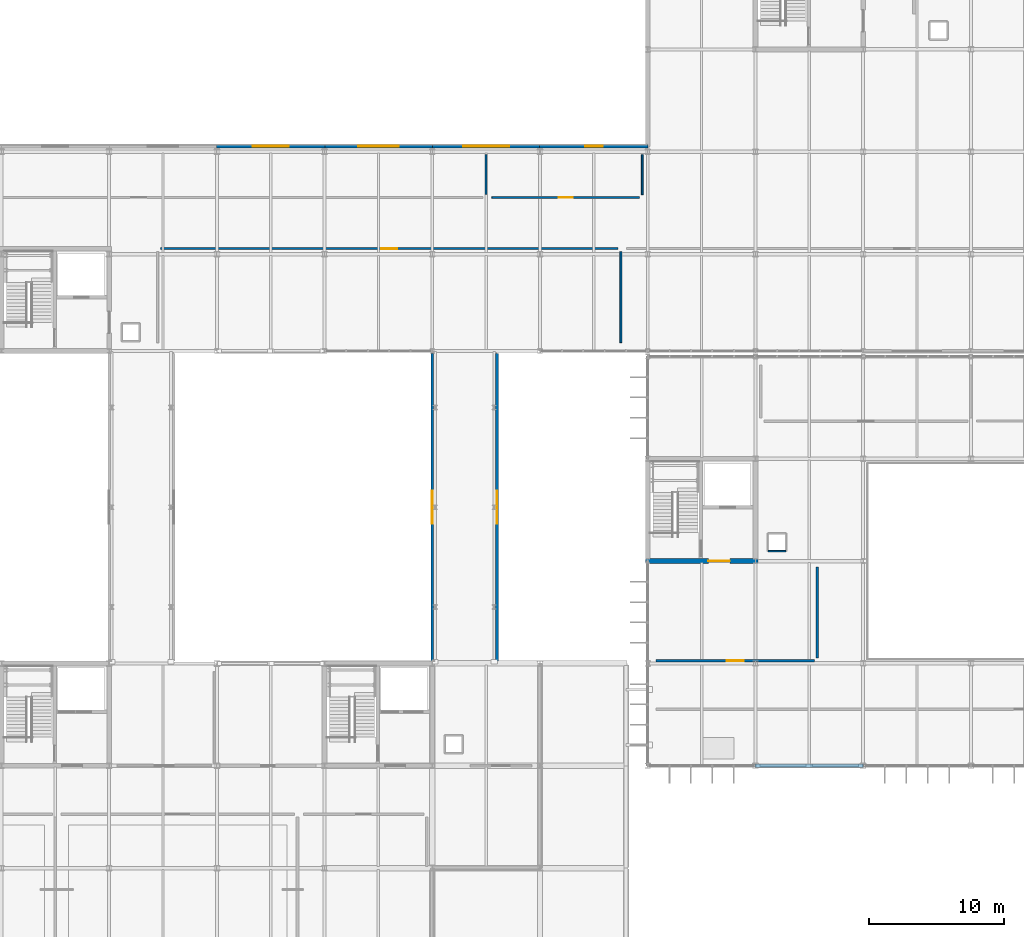
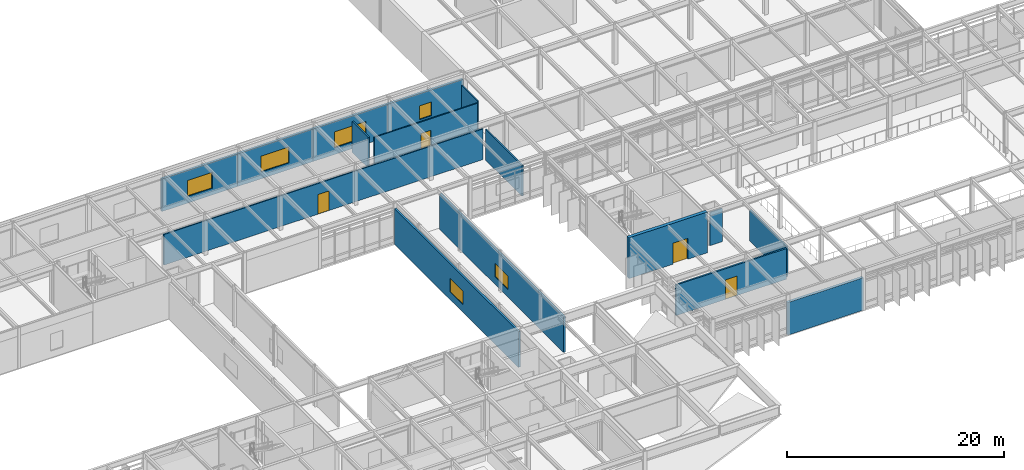
# One storey, part 81 of 104: 16 walls, 6 windows, 4 doors, 10 openings.
"""IFC4 building model written with IfcOpenShell, lengths in metres."""

from ifc_helpers import new_model, si_unit, direction, frame, frame_2d, origin, place, context, subcontext, project, spatial, rectangle, extrude, material, layer, layer_set, type_object, element, fill, save


model = new_model("IFC4")

# Units and contexts
model_context = context("Model", 3, precision=1e-05, world=origin(), true_north=direction((0.0, 1.0)))
body_context = subcontext(model_context, "Body", "Model", "MODEL_VIEW")
ifc_project = project(units=[si_unit("LENGTHUNIT", "METRE"), si_unit("AREAUNIT", "SQUARE_METRE"), si_unit("VOLUMEUNIT", "CUBIC_METRE"), si_unit("PLANEANGLEUNIT", "RADIAN"), si_unit("MASSUNIT", "GRAM", prefix="KILO")], contexts=[model_context])

# Site, building, storey
site_placement = place(None, origin())
site = spatial("IfcSite", under=ifc_project, at=site_placement, CompositionType="ELEMENT")
building_placement = place(site_placement, origin())
building = spatial("IfcBuilding", under=site, at=building_placement, Name="Zulena Civic Courthouse", CompositionType="ELEMENT")
storey_placement = place(building_placement, frame((0.0, 0.0, 10.800048828125)))
storey = spatial("IfcBuildingStorey", under=building, at=storey_placement, Name="L02", CompositionType="ELEMENT", Elevation=10.800048828125)

# Wall, opening, window
ifc_material_1 = material(Name="Travertine-cream architectural precast concrete C40/50", Category="masonry")
ifc_layer_1 = layer(ifc_material_1, 0.205078125)
ifc_layer_set_1 = layer_set([ifc_layer_1], Name="Travertine-cream architectural precast concrete C40/50")
wall_type_1 = type_object("IfcWallType", Name="BridgeWall_GlazedScreen_205", PredefinedType="STANDARD", material=ifc_layer_set_1)
wall_1_placement = place(storey_placement, frame((52.0, 22.97998046875, 0.0), z_axis=(0.0, 0.0, 1.0), x_axis=(0.0, 1.0, 0.0)))
wall_1 = element("IfcWall", 1, at=wall_1_placement, inside=storey, type_object=wall_type_1, Name="ewall:bridge:BR-52C:L02:W", PredefinedType="STANDARD", context=body_context, shape_type="SweptSolid", body=[
    extrude(rectangle(XDim=22.840087890625, YDim=0.205078125, at=frame_2d((11.419921875, 0.0))), origin(), (0.0, 0.0, 1.0), 4.02001953125),
])
opening_1_placement = place(wall_1_placement, frame((10.195068359375, 0.0, 0.85009765625)))
opening_1 = element("IfcOpeningElement", 2, at=opening_1_placement, cuts=wall_1, Name="Opening WN27", PredefinedType="OPENING", context=body_context, shape_type="SweptSolid", body=[
    extrude(rectangle(XDim=2.449951171875, YDim=1.550048828125, at=frame_2d((1.22509765625, 0.77490234375))), frame((0.0, 0.112548828125, 0.0), z_axis=(0.0, -1.0, 0.0), x_axis=(1.0, 0.0, 0.0)), (0.0, 0.0, 1.0), 0.22509765625),
])
ifc_material_2 = material(Name="Double-silver low-E laminated solar-control glass", Category="glass")
window_type_1 = type_object("IfcWindowType", Name="Win_2450x1550", PartitioningType="DOUBLE_PANEL_VERTICAL", PredefinedType="WINDOW", material=ifc_material_2)
window_1_placement = place(opening_1_placement, origin())
window_1 = element("IfcWindow", 3, at=window_1_placement, inside=storey, type_object=window_type_1, Name="win:bridge:BR-52C:L02:W", OverallHeight=1.550048828125, OverallWidth=2.449951171875, PartitioningType="SINGLE_PANEL", PredefinedType="WINDOW", context=body_context, shape_type="SweptSolid", body=[
    extrude(rectangle(XDim=2.449951171875, YDim=1.550048828125, at=frame_2d((1.22509765625, 0.77490234375))), frame((0.0, 0.030029296875, 0.0), z_axis=(0.0, -1.0, 0.0), x_axis=(1.0, 0.0, 0.0)), (0.0, 0.0, 1.0), 0.06005859375),
])
fill(opening_1, window_1)

wall_2_placement = place(storey_placement, frame((56.800048828125, 45.820068359375, 0.0), z_axis=(0.0, 0.0, 1.0), x_axis=(0.0, -1.0, 0.0)))
wall_2 = element("IfcWall", 4, at=wall_2_placement, inside=storey, type_object=wall_type_1, Name="ewall:bridge:BR-52C:L02:E", PredefinedType="STANDARD", context=body_context, shape_type="SweptSolid", body=[
    extrude(rectangle(XDim=22.840087890625, YDim=0.205078125, at=frame_2d((11.419921875, 0.0))), origin(), (0.0, 0.0, 1.0), 4.02001953125),
])
opening_2_placement = place(wall_2_placement, frame((10.195068359375, 0.0, 0.85009765625)))
opening_2 = element("IfcOpeningElement", 5, at=opening_2_placement, cuts=wall_2, Name="Opening WN27", PredefinedType="OPENING", context=body_context, shape_type="SweptSolid", body=[
    extrude(rectangle(XDim=2.449951171875, YDim=1.550048828125, at=frame_2d((1.22509765625, 0.77490234375))), frame((0.0, 0.112548828125, 0.0), z_axis=(0.0, -1.0, 0.0), x_axis=(1.0, 0.0, 0.0)), (0.0, 0.0, 1.0), 0.22509765625),
])
window_2_placement = place(opening_2_placement, origin())
window_2 = element("IfcWindow", 6, at=window_2_placement, inside=storey, type_object=window_type_1, Name="win:bridge:BR-52C:L02:E", OverallHeight=1.550048828125, OverallWidth=2.449951171875, PartitioningType="SINGLE_PANEL", PredefinedType="WINDOW", context=body_context, shape_type="SweptSolid", body=[
    extrude(rectangle(XDim=2.449951171875, YDim=1.550048828125, at=frame_2d((1.22509765625, 0.77490234375))), frame((0.0, 0.030029296875, 0.0), z_axis=(0.0, -1.0, 0.0), x_axis=(1.0, 0.0, 0.0)), (0.0, 0.0, 1.0), 0.06005859375),
])
fill(opening_2, window_2)

# Wall, opening, door
ifc_material_3 = material(Name="Concrete C40/50", Category="concrete")
ifc_layer_2 = layer(ifc_material_3, 0.35009765625)
ifc_layer_set_2 = layer_set([ifc_layer_2], Name="Concrete C40/50")
wall_type_2 = type_object("IfcWallType", Name="CoreShearWall_RC350", PredefinedType="SHEAR", material=ifc_layer_set_2)
wall_3_placement = place(storey_placement, frame((67.824951171875, 30.39990234375, 0.0), z_axis=(0.0, 0.0, 1.0), x_axis=(1.0, 0.0, 0.0)))
wall_3 = element("IfcWall", 7, at=wall_3_placement, inside=storey, type_object=wall_type_2, Name="cwall:K4A:L02:S", PredefinedType="SHEAR", context=body_context, shape_type="SweptSolid", body=[
    extrude(rectangle(XDim=8.35009765625, YDim=0.35009765625, at=frame_2d((4.175048828125, 0.0))), origin(), (0.0, 0.0, 1.0), 4.58984375),
])
opening_3_placement = place(wall_3_placement, frame((4.68505859375, 0.0, 0.0)))
opening_3 = element("IfcOpeningElement", 8, at=opening_3_placement, cuts=wall_3, Name="Opening ID04", PredefinedType="OPENING", context=body_context, shape_type="SweptSolid", body=[
    extrude(rectangle(XDim=1.60009765625, YDim=2.35009765625, at=frame_2d((0.800048828125, 1.175048828125))), frame((0.0, 0.18505859375, 0.0), z_axis=(0.0, -1.0, 0.0), x_axis=(1.0, 0.0, 0.0)), (0.0, 0.0, 1.0), 0.3701171875),
])
ifc_material_4 = material(Name="Solid-core acoustic hardwood timber", Category="wood")
door_type_1 = type_object("IfcDoorType", Name="IntDoor_CourtPublic_1600x2350", OperationType="DOUBLE_DOOR_SINGLE_SWING", PredefinedType="DOOR", material=ifc_material_4)
door_1_placement = place(opening_3_placement, origin())
door_1 = element("IfcDoor", 9, at=door_1_placement, inside=storey, type_object=door_type_1, Name="door:corelob:K4A:L02", OperationType="DOUBLE_DOOR_SINGLE_SWING", OverallHeight=2.35009765625, OverallWidth=1.60009765625, PredefinedType="DOOR", context=body_context, shape_type="SweptSolid", body=[
    extrude(rectangle(XDim=1.60009765625, YDim=2.35009765625, at=frame_2d((0.800048828125, 1.175048828125))), frame((0.0, 0.02490234375, 0.0), z_axis=(0.0, -1.0, 0.0), x_axis=(1.0, 0.0, 0.0)), (0.0, 0.0, 1.0), 0.050048828125),
])
fill(opening_3, door_1)

# Wall, opening, window
ifc_material_5 = material(Name="Buff architectural precast concrete C40/50", Category="concrete")
ifc_layer_3 = layer(ifc_material_5, 0.264892578125)
ifc_layer_set_3 = layer_set([ifc_layer_3], Name="Buff architectural precast concrete C40/50")
wall_type_3 = type_object("IfcWallType", Name="ExtWall_BuffPrecast_265", PredefinedType="STANDARD", material=ifc_layer_set_3)
wall_4_placement = place(storey_placement, frame((35.97998046875, 61.199951171875, 0.0), z_axis=(0.0, 0.0, 1.0), x_axis=(1.0, 0.0, 0.0)))
wall_4 = element("IfcWall", 10, at=wall_4_placement, inside=storey, type_object=wall_type_3, Name="ewall:V5:L02:1:4", PredefinedType="STANDARD", context=body_context, shape_type="SweptSolid", body=[
    extrude(rectangle(XDim=8.0400390625, YDim=0.264892578125, at=frame_2d((4.02001953125, 0.0))), origin(), (0.0, 0.0, 1.0), 3.659912109375),
])
opening_4_placement = place(wall_4_placement, frame((2.695068359375, 0.0, 0.75)))
opening_4 = element("IfcOpeningElement", 11, at=opening_4_placement, cuts=wall_4, Name="Opening WN21", PredefinedType="OPENING", context=body_context, shape_type="SweptSolid", body=[
    extrude(rectangle(XDim=2.64990234375, YDim=1.800048828125, at=frame_2d((1.324951171875, 0.89990234375))), frame((0.0, 0.142333984375, 0.0), z_axis=(0.0, -1.0, 0.0), x_axis=(1.0, 0.0, 0.0)), (0.0, 0.0, 1.0), 0.284912109375),
])
window_type_2 = type_object("IfcWindowType", Name="Win_2650x1800", PartitioningType="DOUBLE_PANEL_VERTICAL", PredefinedType="WINDOW", material=ifc_material_2)
window_3_placement = place(opening_4_placement, origin())
window_3 = element("IfcWindow", 12, at=window_3_placement, inside=storey, type_object=window_type_2, Name="win:V5:L02:1:4", OverallHeight=1.800048828125, OverallWidth=2.64990234375, PartitioningType="SINGLE_PANEL", PredefinedType="WINDOW", context=body_context, shape_type="SweptSolid", body=[
    extrude(rectangle(XDim=2.64990234375, YDim=1.800048828125, at=frame_2d((1.324951171875, 0.89990234375))), frame((0.0, 0.030029296875, 0.0), z_axis=(0.0, -1.0, 0.0), x_axis=(1.0, 0.0, 0.0)), (0.0, 0.0, 1.0), 0.06005859375),
])
fill(opening_4, window_3)

wall_5_placement = place(storey_placement, frame((43.97998046875, 61.199951171875, 0.0), z_axis=(0.0, 0.0, 1.0), x_axis=(1.0, 0.0, 0.0)))
wall_5 = element("IfcWall", 13, at=wall_5_placement, inside=storey, type_object=wall_type_3, Name="ewall:V5:L02:1:5", PredefinedType="STANDARD", context=body_context, shape_type="SweptSolid", body=[
    extrude(rectangle(XDim=8.0400390625, YDim=0.264892578125, at=frame_2d((4.02001953125, 0.0))), origin(), (0.0, 0.0, 1.0), 3.659912109375),
])
opening_5_placement = place(wall_5_placement, frame((2.52001953125, 0.0, 0.75)))
opening_5 = element("IfcOpeningElement", 14, at=opening_5_placement, cuts=wall_5, Name="Opening WN22", PredefinedType="OPENING", context=body_context, shape_type="SweptSolid", body=[
    extrude(rectangle(XDim=3.0, YDim=1.800048828125, at=frame_2d((1.5, 0.89990234375))), frame((0.0, 0.142333984375, 0.0), z_axis=(0.0, -1.0, 0.0), x_axis=(1.0, 0.0, 0.0)), (0.0, 0.0, 1.0), 0.284912109375),
])
window_type_3 = type_object("IfcWindowType", Name="Win_3000x1800", PartitioningType="DOUBLE_PANEL_VERTICAL", PredefinedType="WINDOW", material=ifc_material_2)
window_4_placement = place(opening_5_placement, origin())
window_4 = element("IfcWindow", 15, at=window_4_placement, inside=storey, type_object=window_type_3, Name="win:V5:L02:1:5", OverallHeight=1.800048828125, OverallWidth=3.0, PartitioningType="SINGLE_PANEL", PredefinedType="WINDOW", context=body_context, shape_type="SweptSolid", body=[
    extrude(rectangle(XDim=3.0, YDim=1.800048828125, at=frame_2d((1.5, 0.89990234375))), frame((0.0, 0.030029296875, 0.0), z_axis=(0.0, -1.0, 0.0), x_axis=(1.0, 0.0, 0.0)), (0.0, 0.0, 1.0), 0.06005859375),
])
fill(opening_5, window_4)

wall_6_placement = place(storey_placement, frame((51.97998046875, 61.199951171875, 0.0), z_axis=(0.0, 0.0, 1.0), x_axis=(1.0, 0.0, 0.0)))
wall_6 = element("IfcWall", 16, at=wall_6_placement, inside=storey, type_object=wall_type_3, Name="ewall:V5:L02:1:6", PredefinedType="STANDARD", context=body_context, shape_type="SweptSolid", body=[
    extrude(rectangle(XDim=8.0400390625, YDim=0.264892578125, at=frame_2d((4.02001953125, 0.0))), origin(), (0.0, 0.0, 1.0), 3.659912109375),
])
opening_6_placement = place(wall_6_placement, frame((2.320068359375, 0.0, 0.75)))
opening_6 = element("IfcOpeningElement", 17, at=opening_6_placement, cuts=wall_6, Name="Opening WN23", PredefinedType="OPENING", context=body_context, shape_type="SweptSolid", body=[
    extrude(rectangle(XDim=3.39990234375, YDim=1.800048828125, at=frame_2d((1.699951171875, 0.89990234375))), frame((0.0, 0.142333984375, 0.0), z_axis=(0.0, -1.0, 0.0), x_axis=(1.0, 0.0, 0.0)), (0.0, 0.0, 1.0), 0.284912109375),
])
window_type_4 = type_object("IfcWindowType", Name="Win_3400x1800", PartitioningType="DOUBLE_PANEL_VERTICAL", PredefinedType="WINDOW", material=ifc_material_2)
window_5_placement = place(opening_6_placement, origin())
window_5 = element("IfcWindow", 18, at=window_5_placement, inside=storey, type_object=window_type_4, Name="win:V5:L02:1:6", OverallHeight=1.800048828125, OverallWidth=3.39990234375, PartitioningType="SINGLE_PANEL", PredefinedType="WINDOW", context=body_context, shape_type="SweptSolid", body=[
    extrude(rectangle(XDim=3.39990234375, YDim=1.800048828125, at=frame_2d((1.699951171875, 0.89990234375))), frame((0.0, 0.030029296875, 0.0), z_axis=(0.0, -1.0, 0.0), x_axis=(1.0, 0.0, 0.0)), (0.0, 0.0, 1.0), 0.06005859375),
])
fill(opening_6, window_5)

wall_7_placement = place(storey_placement, frame((59.97998046875, 61.199951171875, 0.0), z_axis=(0.0, 0.0, 1.0), x_axis=(1.0, 0.0, 0.0)))
wall_7 = element("IfcWall", 19, at=wall_7_placement, inside=storey, type_object=wall_type_3, Name="ewall:V5:L02:1:7", PredefinedType="STANDARD", context=body_context, shape_type="SweptSolid", body=[
    extrude(rectangle(XDim=8.0400390625, YDim=0.264892578125, at=frame_2d((4.02001953125, 0.0))), origin(), (0.0, 0.0, 1.0), 3.659912109375),
])
opening_7_placement = place(wall_7_placement, frame((3.3701171875, 0.0, 0.75)))
opening_7 = element("IfcOpeningElement", 20, at=opening_7_placement, cuts=wall_7, Name="Opening WN24", PredefinedType="OPENING", context=body_context, shape_type="SweptSolid", body=[
    extrude(rectangle(XDim=1.300048828125, YDim=1.550048828125, at=frame_2d((0.64990234375, 0.77490234375))), frame((0.0, 0.142333984375, 0.0), z_axis=(0.0, -1.0, 0.0), x_axis=(1.0, 0.0, 0.0)), (0.0, 0.0, 1.0), 0.284912109375),
])
window_type_5 = type_object("IfcWindowType", Name="Win_1300x1550", PartitioningType="SINGLE_PANEL", PredefinedType="WINDOW", material=ifc_material_2)
window_6_placement = place(opening_7_placement, origin())
window_6 = element("IfcWindow", 21, at=window_6_placement, inside=storey, type_object=window_type_5, Name="win:V5:L02:1:7", OverallHeight=1.550048828125, OverallWidth=1.300048828125, PartitioningType="SINGLE_PANEL", PredefinedType="WINDOW", context=body_context, shape_type="SweptSolid", body=[
    extrude(rectangle(XDim=1.300048828125, YDim=1.550048828125, at=frame_2d((0.64990234375, 0.77490234375))), frame((0.0, 0.030029296875, 0.0), z_axis=(0.0, -1.0, 0.0), x_axis=(1.0, 0.0, 0.0)), (0.0, 0.0, 1.0), 0.06005859375),
])
fill(opening_7, window_6)

# Wall
ifc_layer_4 = layer(ifc_material_1, 0.280029296875)
ifc_layer_set_4 = layer_set([ifc_layer_4], Name="Travertine-cream architectural precast concrete C40/50")
wall_type_4 = type_object("IfcWallType", Name="ExtWall_TravPrecast_280", PredefinedType="STANDARD", material=ifc_layer_set_4)
wall_8_placement = place(storey_placement, frame((84.02001953125, 15.199951171875, 0.0), z_axis=(0.0, 0.0, 1.0), x_axis=(-1.0, 0.0, 0.0)))
element("IfcWall", 22, at=wall_8_placement, inside=storey, type_object=wall_type_4, Name="ewall:V4:L02:3:5", PredefinedType="STANDARD", context=body_context, shape_type="SweptSolid", body=[
    extrude(rectangle(XDim=8.0400390625, YDim=0.280029296875, at=frame_2d((4.02001953125, 0.0))), origin(), (0.0, 0.0, 1.0), 3.659912109375),
])

# Wall, opening, door
ifc_material_6 = material(Name="Acoustic fire-rated gypsum board assembly", Category="masonry")
ifc_layer_5 = layer(ifc_material_6, 0.14599609375)
ifc_layer_set_5 = layer_set([ifc_layer_5], Name="Acoustic fire-rated gypsum board assembly")
wall_type_5 = type_object("IfcWallType", Name="PartWall_Chambers_146", PredefinedType="PARTITIONING", material=ifc_layer_set_5)
wall_9_placement = place(storey_placement, frame((31.820068359375, 53.60009765625, 0.0), z_axis=(0.0, 0.0, 1.0), x_axis=(1.0, 0.0, 0.0)))
wall_9 = element("IfcWall", 23, at=wall_9_placement, inside=storey, type_object=wall_type_5, Name="pwall:L02:389:0", PredefinedType="PARTITIONING", context=body_context, shape_type="SweptSolid", body=[
    extrude(rectangle(XDim=33.9599609375, YDim=0.14599609375, at=frame_2d((16.97998046875, 0.0))), origin(), (0.0, 0.0, 1.0), 3.449951171875),
])
opening_8_placement = place(wall_9_placement, frame((16.3798828125, 0.0, 0.0)))
opening_8 = element("IfcOpeningElement", 24, at=opening_8_placement, cuts=wall_9, Name="Opening ID07", PredefinedType="OPENING", context=body_context, shape_type="SweptSolid", body=[
    extrude(rectangle(XDim=1.199951171875, YDim=2.199951171875, at=frame_2d((0.60009765625, 1.10009765625))), frame((0.0, 0.0830078125, 0.0), z_axis=(0.0, -1.0, 0.0), x_axis=(1.0, 0.0, 0.0)), (0.0, 0.0, 1.0), 0.166015625),
])
ifc_material_7 = material(Name="Fire-rated galvanised steel ASTM A653 Grade 50", Category="steel")
door_type_2 = type_object("IfcDoorType", Name="IntDoor_Stair_1200x2200", OperationType="NOTDEFINED", PredefinedType="DOOR", material=ifc_material_7)
door_2_placement = place(opening_8_placement, origin())
door_2 = element("IfcDoor", 25, at=door_2_placement, inside=storey, type_object=door_type_2, Name="door:rm:L02:389", OperationType="SINGLE_SWING_LEFT", OverallHeight=2.199951171875, OverallWidth=1.199951171875, PredefinedType="DOOR", context=body_context, shape_type="SweptSolid", body=[
    extrude(rectangle(XDim=1.199951171875, YDim=2.199951171875, at=frame_2d((0.60009765625, 1.10009765625))), frame((0.0, 0.02490234375, 0.0), z_axis=(0.0, -1.0, 0.0), x_axis=(1.0, 0.0, 0.0)), (0.0, 0.0, 1.0), 0.050048828125),
])
fill(opening_8, door_2)

# Wall
wall_10_placement = place(storey_placement, frame((66.0, 46.6201171875, 0.0), z_axis=(0.0, 0.0, 1.0), x_axis=(0.0, 1.0, 0.0)))
element("IfcWall", 26, at=wall_10_placement, inside=storey, type_object=wall_type_5, Name="pwall:L02:389:2", PredefinedType="PARTITIONING", context=body_context, shape_type="SweptSolid", body=[
    extrude(rectangle(XDim=6.759765625, YDim=0.14599609375, at=frame_2d((3.3798828125, 0.0))), origin(), (0.0, 0.0, 1.0), 3.449951171875),
])

# Wall, opening, door
ifc_layer_6 = layer(ifc_material_6, 0.177978515625)
ifc_layer_set_6 = layer_set([ifc_layer_6], Name="Acoustic fire-rated gypsum board assembly")
wall_type_6 = type_object("IfcWallType", Name="PartWall_Corridor_178", PredefinedType="PARTITIONING", material=ifc_layer_set_6)
wall_11_placement = place(storey_placement, frame((68.6201171875, 23.0, 0.0), z_axis=(0.0, 0.0, 1.0), x_axis=(1.0, 0.0, 0.0)))
wall_11 = element("IfcWall", 27, at=wall_11_placement, inside=storey, type_object=wall_type_6, Name="pwall:L02:244:0", PredefinedType="PARTITIONING", context=body_context, shape_type="SweptSolid", body=[
    extrude(rectangle(XDim=11.759765625, YDim=0.177978515625, at=frame_2d((5.8798828125, 0.0))), origin(), (0.0, 0.0, 1.0), 3.449951171875),
])
opening_9_placement = place(wall_11_placement, frame((5.2548828125, 0.0, 0.0)))
opening_9 = element("IfcOpeningElement", 28, at=opening_9_placement, cuts=wall_11, Name="Opening ID06", PredefinedType="OPENING", context=body_context, shape_type="SweptSolid", body=[
    extrude(rectangle(XDim=1.25, YDim=2.199951171875, at=frame_2d((0.625, 1.10009765625))), frame((0.0, 0.098876953125, 0.0), z_axis=(0.0, -1.0, 0.0), x_axis=(1.0, 0.0, 0.0)), (0.0, 0.0, 1.0), 0.197998046875),
])
door_type_3 = type_object("IfcDoorType", Name="IntDoor_Stair_1250x2200", OperationType="NOTDEFINED", PredefinedType="DOOR", material=ifc_material_7)
door_3_placement = place(opening_9_placement, origin())
door_3 = element("IfcDoor", 29, at=door_3_placement, inside=storey, type_object=door_type_3, Name="door:rm:L02:244", OperationType="SINGLE_SWING_RIGHT", OverallHeight=2.199951171875, OverallWidth=1.25, PredefinedType="DOOR", context=body_context, shape_type="SweptSolid", body=[
    extrude(rectangle(XDim=1.25, YDim=2.199951171875, at=frame_2d((0.625, 1.10009765625))), frame((0.0, 0.02490234375, 0.0), z_axis=(0.0, -1.0, 0.0), x_axis=(1.0, 0.0, 0.0)), (0.0, 0.0, 1.0), 0.050048828125),
])
fill(opening_9, door_3)

# Walls
wall_12_placement = place(storey_placement, frame((80.60009765625, 23.219970703125, 0.0), z_axis=(0.0, 0.0, 1.0), x_axis=(0.0, 1.0, 0.0)))
element("IfcWall", 30, at=wall_12_placement, inside=storey, type_object=wall_type_6, Name="pwall:L02:244:1", PredefinedType="PARTITIONING", context=body_context, shape_type="SweptSolid", body=[
    extrude(rectangle(XDim=6.760009765625, YDim=0.177978515625, at=frame_2d((3.3798828125, 0.0))), origin(), (0.0, 0.0, 1.0), 3.449951171875),
])
ifc_layer_7 = layer(ifc_material_6, 0.162109375)
ifc_layer_set_7 = layer_set([ifc_layer_7], Name="Acoustic fire-rated gypsum board assembly")
wall_type_7 = type_object("IfcWallType", Name="PartWall_Jury_162", PredefinedType="PARTITIONING", material=ifc_layer_set_7)
wall_13_placement = place(storey_placement, frame((56.0, 57.6201171875, 0.0), z_axis=(0.0, 0.0, 1.0), x_axis=(0.0, 1.0, 0.0)))
element("IfcWall", 31, at=wall_13_placement, inside=storey, type_object=wall_type_7, Name="pwall:L02:391:1", PredefinedType="PARTITIONING", context=body_context, shape_type="SweptSolid", body=[
    extrude(rectangle(XDim=2.9599609375, YDim=0.162109375, at=frame_2d((1.47998046875, 0.0))), origin(), (0.0, 0.0, 1.0), 3.449951171875),
])
ifc_material_8 = material(Name="Insulated blockwork masonry ASTM C90", Category="masonry")
ifc_layer_8 = layer(ifc_material_8, 0.114990234375)
ifc_layer_set_8 = layer_set([ifc_layer_8], Name="Insulated blockwork masonry ASTM C90")
wall_type_8 = type_object("IfcWallType", Name="PartWall_Riser_115", PredefinedType="PARTITIONING", material=ifc_layer_set_8)
wall_14_placement = place(storey_placement, frame((76.93994140625, 31.139892578125, 0.0), z_axis=(0.0, 0.0, 1.0), x_axis=(1.0, 0.0, 0.0)))
element("IfcWall", 32, at=wall_14_placement, inside=storey, type_object=wall_type_8, Name="riser:RS-V4W:L02:0", PredefinedType="PARTITIONING", context=body_context, shape_type="SweptSolid", body=[
    extrude(rectangle(XDim=1.320068359375, YDim=0.114990234375, at=frame_2d((0.66015625, 0.0))), origin(), (0.0, 0.0, 1.0), 3.75),
])

# Wall, opening, door
ifc_layer_9 = layer(ifc_material_8, 0.1279296875)
ifc_layer_set_9 = layer_set([ifc_layer_9], Name="Insulated blockwork masonry ASTM C90")
wall_type_9 = type_object("IfcWallType", Name="PartWall_WetRoom_128", PredefinedType="PARTITIONING", material=ifc_layer_set_9)
wall_15_placement = place(storey_placement, frame((56.419921875, 57.39990234375, 0.0), z_axis=(0.0, 0.0, 1.0), x_axis=(1.0, 0.0, 0.0)))
wall_15 = element("IfcWall", 33, at=wall_15_placement, inside=storey, type_object=wall_type_9, Name="pwall:L02:392:0", PredefinedType="PARTITIONING", context=body_context, shape_type="SweptSolid", body=[
    extrude(rectangle(XDim=10.9599609375, YDim=0.1279296875, at=frame_2d((5.47998046875, 0.0))), origin(), (0.0, 0.0, 1.0), 3.449951171875),
])
opening_10_placement = place(wall_15_placement, frame((4.955078125, 0.0, 0.0)))
opening_10 = element("IfcOpeningElement", 34, at=opening_10_placement, cuts=wall_15, Name="Opening ID10", PredefinedType="OPENING", context=body_context, shape_type="SweptSolid", body=[
    extrude(rectangle(XDim=1.050048828125, YDim=2.14990234375, at=frame_2d((0.52490234375, 1.074951171875))), frame((0.0, 0.073974609375, 0.0), z_axis=(0.0, -1.0, 0.0), x_axis=(1.0, 0.0, 0.0)), (0.0, 0.0, 1.0), 0.14794921875),
])
door_type_4 = type_object("IfcDoorType", Name="IntDoor_Holding_1050x2150", OperationType="NOTDEFINED", PredefinedType="DOOR", material=ifc_material_7)
door_4_placement = place(opening_10_placement, origin())
door_4 = element("IfcDoor", 35, at=door_4_placement, inside=storey, type_object=door_type_4, Name="door:rm:L02:392", OperationType="SINGLE_SWING_RIGHT", OverallHeight=2.14990234375, OverallWidth=1.050048828125, PredefinedType="DOOR", context=body_context, shape_type="SweptSolid", body=[
    extrude(rectangle(XDim=1.050048828125, YDim=2.14990234375, at=frame_2d((0.52490234375, 1.074951171875))), frame((0.0, 0.02490234375, 0.0), z_axis=(0.0, -1.0, 0.0), x_axis=(1.0, 0.0, 0.0)), (0.0, 0.0, 1.0), 0.050048828125),
])
fill(opening_10, door_4)

# Wall
wall_16_placement = place(storey_placement, frame((67.60009765625, 57.6201171875, 0.0), z_axis=(0.0, 0.0, 1.0), x_axis=(0.0, 1.0, 0.0)))
element("IfcWall", 36, at=wall_16_placement, inside=storey, type_object=wall_type_9, Name="pwall:L02:392:1", PredefinedType="PARTITIONING", context=body_context, shape_type="SweptSolid", body=[
    extrude(rectangle(XDim=2.9599609375, YDim=0.1279296875, at=frame_2d((1.47998046875, 0.0))), origin(), (0.0, 0.0, 1.0), 3.449951171875),
])

save(model, "model.ifc")
